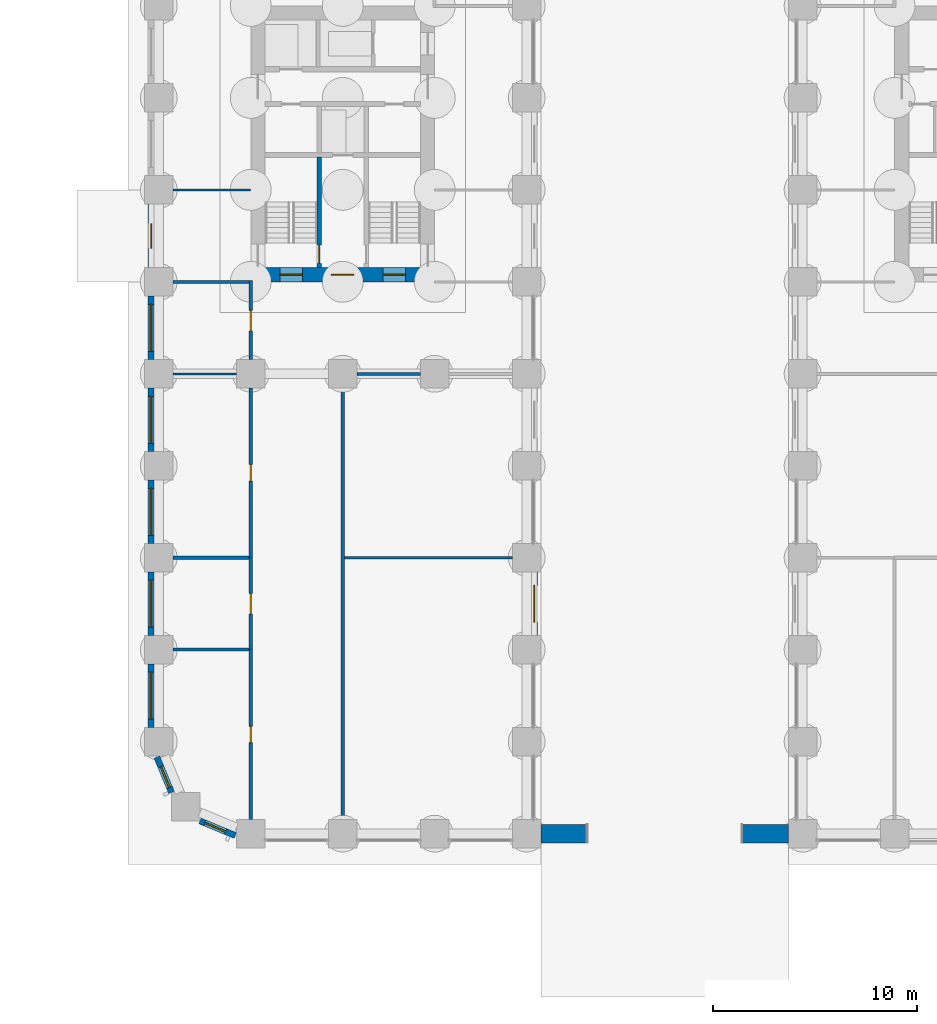
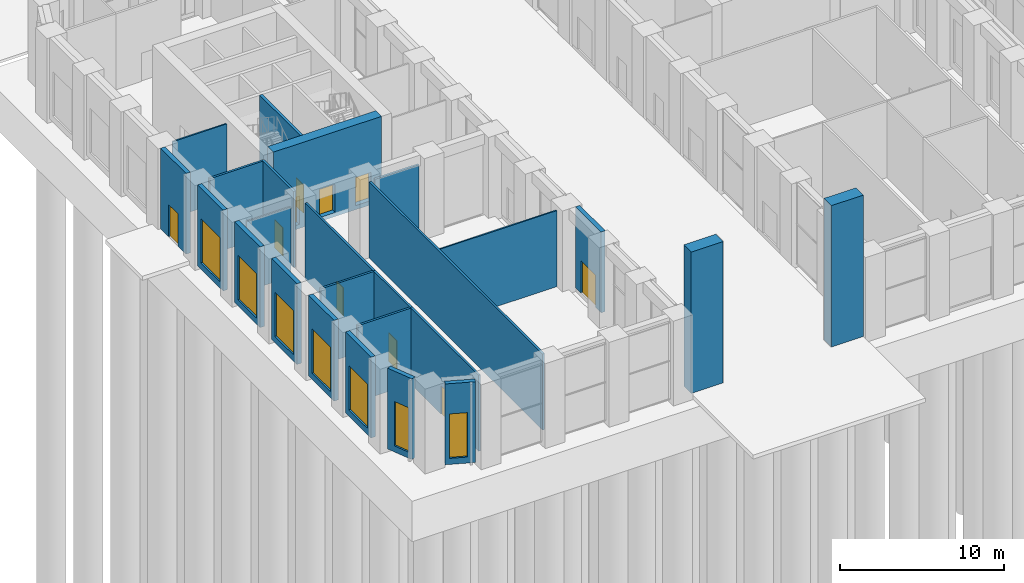
# One storey, part 14 of 31: 25 walls, 10 doors, 7 windows, 17 openings.
"""IFC4 building model written with IfcOpenShell, lengths in metres."""

import ifcopenshell
import ifcopenshell.guid

model = None  # the IFC model being written
_history = None  # IfcOwnerHistory: only IFC2X3 demands one
_inside = {}  # id of a spatial element -> (the spatial element, [elements in it])
_under = {}  # id of a project, library or spatial element -> (it, [spatial elements below it])
_declared = {}  # id of a project -> (the project, [libraries it declares])
_typed = {}  # id of a type object -> (the type object, [elements of that type])
_made_of = {}  # id of a material, layer set ... -> (it, [elements and type objects made of it])


def new_model(schema):
    """Start an empty IFC model of exactly this schema.

    Asked for "IFC4X3", IfcOpenShell would pick the latest addendum, in which some entities
    have other attributes; the version numbers below select the first issue.
    IFC2X3 requires an IfcOwnerHistory on every rooted entity: one is made here for all.
    """
    global model, _history
    if schema == "IFC4X3":
        model = ifcopenshell.file(schema_version=(4, 3, 0, 0))
    else:
        model = ifcopenshell.file(schema=schema)
    _inside.clear()
    _under.clear()
    _declared.clear()
    _typed.clear()
    _made_of.clear()
    _history = None
    if model.schema == "IFC2X3":
        org = make("IfcOrganization", Name="unknown")
        user = make(
            "IfcPersonAndOrganization",
            ThePerson=make("IfcPerson", FamilyName="unknown"),
            TheOrganization=org,
        )
        app = make(
            "IfcApplication",
            ApplicationDeveloper=org,
            Version="unknown",
            ApplicationFullName="unknown",
            ApplicationIdentifier="unknown",
        )
        _history = make(
            "IfcOwnerHistory",
            OwningUser=user,
            OwningApplication=app,
            ChangeAction="ADDED",
            CreationDate=0,
        )
    return model


def make(cls, **values):
    """One entity of the class cls with the attributes given. An attribute that is None is left unset."""
    return model.create_entity(
        cls, **{name: value for name, value in values.items() if value is not None}
    )


def rooted(cls, **values):
    """An entity with a GlobalId (a new one), such as an element, a storey or a relation."""
    return make(cls, GlobalId=ifcopenshell.guid.new(), OwnerHistory=_history, **values)


def si_unit(unit_type, name, prefix=None):
    """IfcSIUnit, for example si_unit("LENGTHUNIT", "METRE", prefix="MILLI")."""
    return make("IfcSIUnit", UnitType=unit_type, Prefix=prefix, Name=name)


def assignment(units):
    """IfcUnitAssignment: the units of a project."""
    return None if units is None else make("IfcUnitAssignment", Units=units)


def point(xyz):
    """IfcCartesianPoint."""
    return None if xyz is None else make("IfcCartesianPoint", Coordinates=xyz)


def direction(xyz):
    """IfcDirection."""
    return None if xyz is None else make("IfcDirection", DirectionRatios=xyz)


def frame(location, z_axis=None, x_axis=None):
    """IfcAxis2Placement3D, a coordinate frame: its origin and axes. An axis left out is left unset."""
    return make(
        "IfcAxis2Placement3D",
        Location=point(location),
        Axis=direction(z_axis),
        RefDirection=direction(x_axis),
    )


def frame_2d(location, x_axis=None):
    """IfcAxis2Placement2D, a coordinate frame in the plane: its origin and x axis."""
    return make(
        "IfcAxis2Placement2D", Location=point(location), RefDirection=direction(x_axis)
    )


def origin():
    """The frame at (0, 0, 0) with its axes left unset."""
    return frame((0.0, 0.0, 0.0))


def place(relative_to, where):
    """IfcLocalPlacement: puts the frame where relative to a parent placement (None: the world)."""
    return make(
        "IfcLocalPlacement", PlacementRelTo=relative_to, RelativePlacement=where
    )


def context(
    kind, dimensions, precision=None, world=None, true_north=None, identifier=None
):
    """IfcGeometricRepresentationContext, for example the 3D "Model" context."""
    return make(
        "IfcGeometricRepresentationContext",
        ContextIdentifier=identifier,
        ContextType=kind,
        CoordinateSpaceDimension=dimensions,
        Precision=precision,
        WorldCoordinateSystem=world,
        TrueNorth=true_north,
    )


def subcontext(parent, identifier, kind, view, scale=None):
    """IfcGeometricRepresentationSubContext, for example "Body" below "Model"."""
    return make(
        "IfcGeometricRepresentationSubContext",
        ContextIdentifier=identifier,
        ContextType=kind,
        ParentContext=parent,
        TargetScale=scale,
        TargetView=view,
    )


def project(units=None, contexts=None):
    """IfcProject with its units and contexts."""
    return rooted(
        "IfcProject",
        Name="project",
        RepresentationContexts=contexts,
        UnitsInContext=assignment(units),
    )


def spatial(cls, under=None, at=None, **own):
    """A site, building, storey or space (cls), placed at a placement, below another one or the project."""
    s = rooted(cls, ObjectPlacement=at, **own)
    if under is not None:
        _under.setdefault(under.id(), (under, []))[1].append(s)
    return s


def profile(cls, at=None, kind="AREA", **sizes):
    """A parametric profile (cls). Its sizes go by their IFC names, for example OverallWidth=200.0."""
    return make(cls, ProfileType=kind, Position=at, **sizes)


def rectangle(**sizes):
    """IfcRectangleProfileDef."""
    return profile("IfcRectangleProfileDef", **sizes)


def extrude(swept, where, along, depth):
    """IfcExtrudedAreaSolid: the profile swept, set in the frame where, extruded along a direction by depth."""
    return make(
        "IfcExtrudedAreaSolid",
        SweptArea=swept,
        Position=where,
        ExtrudedDirection=direction(along),
        Depth=depth,
    )


def shape(context_of_items, identifier, shape_type, items):
    """IfcShapeRepresentation: the items that make up one representation, for example the "Body"."""
    return make(
        "IfcShapeRepresentation",
        ContextOfItems=context_of_items,
        RepresentationIdentifier=identifier,
        RepresentationType=shape_type,
        Items=items,
    )


def material(Name=None, Category=None):
    """IfcMaterial."""
    return make("IfcMaterial", Name=Name, Category=Category)


def layer(
    of_material, thickness, ventilated=None, Name=None, Category=None, Priority=None
):
    """IfcMaterialLayer: one layer of a wall or slab, of a material (None: an air gap)."""
    return make(
        "IfcMaterialLayer",
        Material=of_material,
        LayerThickness=thickness,
        IsVentilated=ventilated,
        Name=Name,
        Category=Category,
        Priority=Priority,
    )


def layer_set(layers, Name=None):
    """IfcMaterialLayerSet."""
    return make("IfcMaterialLayerSet", MaterialLayers=layers, LayerSetName=Name)


def made_of(thing, what):
    """Note that an element or type object is made of a material, layer set ...; save() writes the relation."""
    if what is not None:
        _made_of.setdefault(what.id(), (what, []))[1].append(thing)
    return thing


def type_object(cls, material=None, **own):
    """A type object (cls), such as IfcWallType, which elements share."""
    return made_of(rooted(cls, **own), material)


def element(
    cls,
    number,
    at=None,
    inside=None,
    cuts=None,
    type_object=None,
    material=None,
    context=None,
    identifier="Body",
    shape_type=None,
    held_by="IfcProductDefinitionShape",
    body=None,
    shapes=None,
    **own,
):
    """One element of the class cls, such as IfcWall. Its Tag is "e" and its number.

    at: its placement. inside: the storey or other place that contains it. cuts: it is an
    opening in that element (IfcRelVoidsElement). A single representation is given by context,
    identifier, shape_type and body (its items); several are given by shapes. held_by: the class
    of the entity that holds the representations. save() writes the other relations.
    """
    e = rooted(cls, Tag="e%d" % number, ObjectPlacement=at, **own)
    if body is not None:
        shapes = [shape(context, identifier, shape_type, body)]
    if shapes is not None:
        e.Representation = make(held_by, Representations=shapes)
    if inside is not None:
        _inside.setdefault(inside.id(), (inside, []))[1].append(e)
    if cuts is not None:
        rooted(
            "IfcRelVoidsElement", RelatingBuildingElement=cuts, RelatedOpeningElement=e
        )
    if type_object is not None:
        _typed.setdefault(type_object.id(), (type_object, []))[1].append(e)
    return made_of(e, material)


def fill(opening, filler):
    """IfcRelFillsElement: the door or window that sits in an opening."""
    return rooted(
        "IfcRelFillsElement",
        RelatingOpeningElement=opening,
        RelatedBuildingElement=filler,
    )


def aggregate(whole, parts):
    """IfcRelAggregates: a whole, such as a stair, and the parts it consists of."""
    return rooted("IfcRelAggregates", RelatingObject=whole, RelatedObjects=parts)


def save(model, path):
    """Write the relations noted so far, then the file.

    IfcRelAggregates (storeys below a building ...), IfcRelContainedInSpatialStructure (elements
    in a storey), IfcRelDefinesByType, IfcRelAssociatesMaterial and IfcRelDeclares: one each for
    every whole, place, type object, material and project.
    """
    for whole, parts in _under.values():
        aggregate(whole, parts)
    for where, things in _inside.values():
        rooted(
            "IfcRelContainedInSpatialStructure",
            RelatedElements=things,
            RelatingStructure=where,
        )
    for kind, things in _typed.values():
        rooted("IfcRelDefinesByType", RelatedObjects=things, RelatingType=kind)
    for what, things in _made_of.values():
        rooted("IfcRelAssociatesMaterial", RelatedObjects=things, RelatingMaterial=what)
    for by, libraries in _declared.values():
        rooted("IfcRelDeclares", RelatingContext=by, RelatedDefinitions=libraries)
    model.write(path)


model = new_model("IFC4")

# Units and contexts
model_context = context("Model", 3, precision=1e-05, world=origin(), true_north=direction((0.0, 1.0)))
body_context = subcontext(model_context, "Body", "Model", "MODEL_VIEW")
ifc_project = project(units=[si_unit("LENGTHUNIT", "METRE"), si_unit("AREAUNIT", "SQUARE_METRE"), si_unit("VOLUMEUNIT", "CUBIC_METRE"), si_unit("PLANEANGLEUNIT", "RADIAN"), si_unit("MASSUNIT", "GRAM", prefix="KILO")], contexts=[model_context])

# Site, building, storey
site_placement = place(None, origin())
site = spatial("IfcSite", under=ifc_project, at=site_placement, CompositionType="ELEMENT")
building_placement = place(site_placement, origin())
building = spatial("IfcBuilding", under=site, at=building_placement, Name="Girih Gate Residences", CompositionType="ELEMENT")
storey_placement = place(building_placement, origin())
storey = spatial("IfcBuildingStorey", under=building, at=storey_placement, Name="L00", CompositionType="ELEMENT", Elevation=0.0)

# Wall, opening, door
ifc_material_1 = material(Name="Gypsum board on steel studs", Category="steel")
ifc_layer_1 = layer(ifc_material_1, 0.14990234375)
ifc_layer_set_1 = layer_set([ifc_layer_1], Name="Compartment wall 150 mm")
wall_type_1 = type_object("IfcWallType", Name="Compartment wall 150 mm", PredefinedType="PARTITIONING", material=ifc_layer_set_1)
wall_1_placement = place(storey_placement, frame((4.5, 23.199951171875, 0.0), z_axis=(0.0, 0.0, 1.0), x_axis=(0.0, 1.0, 0.0)))
wall_1 = element("IfcWall", 1, at=wall_1_placement, inside=storey, type_object=wall_type_1, Name="L00 partition", PredefinedType="PARTITIONING", context=body_context, shape_type="SweptSolid", body=[
    extrude(rectangle(XDim=3.875, YDim=0.14990234375, at=frame_2d((1.9375, 0.0))), origin(), (0.0, 0.0, 1.0), 5.64990234375),
])
opening_1_placement = place(wall_1_placement, frame((1.39990234375, 0.0, 0.0)))
opening_1 = element("IfcOpeningElement", 2, at=opening_1_placement, cuts=wall_1, Name="Opening D-L00-S-009", PredefinedType="OPENING", context=body_context, shape_type="SweptSolid", body=[
    extrude(rectangle(XDim=1.0, YDim=2.10009765625, at=frame_2d((0.5, 1.050048828125))), frame((0.0, 0.0849609375, 0.0), z_axis=(0.0, -1.0, 0.0), x_axis=(1.0, 0.0, 0.0)), (0.0, 0.0, 1.0), 0.169921875),
])
ifc_material_2 = material(Name="Timber, fire-rated core", Category="wood")
door_type_1 = type_object("IfcDoorType", Name="Amenity door 1000x2100 FD30S", OperationType="SINGLE_SWING_LEFT", PredefinedType="DOOR", material=ifc_material_2)
door_1_placement = place(opening_1_placement, origin())
door_1 = element("IfcDoor", 3, at=door_1_placement, inside=storey, type_object=door_type_1, Name="Door L00-009", OperationType="SINGLE_SWING_LEFT", OverallHeight=2.10009765625, OverallWidth=1.0, PredefinedType="DOOR", context=body_context, shape_type="SweptSolid", body=[
    extrude(rectangle(XDim=1.0, YDim=2.10009765625, at=frame_2d((0.5, 1.050048828125))), frame((0.0, 0.02490234375, 0.0), z_axis=(0.0, -1.0, 0.0), x_axis=(1.0, 0.0, 0.0)), (0.0, 0.0, 1.0), 0.050048828125),
])
fill(opening_1, door_1)

# Walls
wall_2_placement = place(storey_placement, frame((0.699951171875, 27.0, 0.0), z_axis=(0.0, 0.0, 1.0), x_axis=(1.0, 0.0, 0.0)))
element("IfcWall", 4, at=wall_2_placement, inside=storey, type_object=wall_type_1, Name="L00 partition", PredefinedType="PARTITIONING", context=body_context, shape_type="SweptSolid", body=[
    extrude(rectangle(XDim=3.72509765625, YDim=0.14990234375, at=frame_2d((1.862548828125, 0.0))), origin(), (0.0, 0.0, 1.0), 5.64990234375),
])
wall_3_placement = place(storey_placement, frame((9.699951171875, 22.5, 0.0), z_axis=(0.0, 0.0, 1.0), x_axis=(1.0, 0.0, 0.0)))
element("IfcWall", 5, at=wall_3_placement, inside=storey, type_object=wall_type_1, Name="L00 partition", PredefinedType="PARTITIONING", context=body_context, shape_type="SweptSolid", body=[
    extrude(rectangle(XDim=3.10009765625, YDim=0.14990234375, at=frame_2d((1.550048828125, 0.0))), origin(), (0.0, 0.0, 1.0), 5.179931640625),
])
wall_4_placement = place(storey_placement, frame((9.0, 0.699951171875, 0.0), z_axis=(0.0, 0.0, 1.0), x_axis=(0.0, 1.0, 0.0)))
element("IfcWall", 6, at=wall_4_placement, inside=storey, type_object=wall_type_1, Name="L00 partition", PredefinedType="PARTITIONING", context=body_context, shape_type="SweptSolid", body=[
    extrude(rectangle(XDim=21.10009765625, YDim=0.14990234375, at=frame_2d((10.550048828125, 0.0))), origin(), (0.0, 0.0, 1.0), 5.64990234375),
])

# Wall, opening, door
wall_5_placement = place(storey_placement, frame((4.5, 0.699951171875, 0.0), z_axis=(0.0, 0.0, 1.0), x_axis=(0.0, 1.0, 0.0)))
wall_5 = element("IfcWall", 7, at=wall_5_placement, inside=storey, type_object=wall_type_1, Name="L00 partition", PredefinedType="PARTITIONING", context=body_context, shape_type="SweptSolid", body=[
    extrude(rectangle(XDim=8.300048828125, YDim=0.14990234375, at=frame_2d((4.14990234375, 0.0))), origin(), (0.0, 0.0, 1.0), 5.64990234375),
])
opening_2_placement = place(wall_5_placement, frame((3.75, 0.0, 0.0)))
opening_2 = element("IfcOpeningElement", 8, at=opening_2_placement, cuts=wall_5, Name="Opening D-L00-S-012", PredefinedType="OPENING", context=body_context, shape_type="SweptSolid", body=[
    extrude(rectangle(XDim=0.800048828125, YDim=2.10009765625, at=frame_2d((0.39990234375, 1.050048828125))), frame((0.0, 0.0849609375, 0.0), z_axis=(0.0, -1.0, 0.0), x_axis=(1.0, 0.0, 0.0)), (0.0, 0.0, 1.0), 0.169921875),
])
ifc_material_3 = material(Name="Timber", Category="wood")
door_type_2 = type_object("IfcDoorType", Name="WC and store door 800x2100", OperationType="SINGLE_SWING_LEFT", PredefinedType="DOOR", material=ifc_material_3)
door_2_placement = place(opening_2_placement, origin())
door_2 = element("IfcDoor", 9, at=door_2_placement, inside=storey, type_object=door_type_2, Name="Door L00-012", OperationType="SINGLE_SWING_LEFT", OverallHeight=2.10009765625, OverallWidth=0.800048828125, PredefinedType="DOOR", context=body_context, shape_type="SweptSolid", body=[
    extrude(rectangle(XDim=0.800048828125, YDim=2.10009765625, at=frame_2d((0.39990234375, 1.050048828125))), frame((0.0, 0.02490234375, 0.0), z_axis=(0.0, -1.0, 0.0), x_axis=(1.0, 0.0, 0.0)), (0.0, 0.0, 1.0), 0.050048828125),
])
fill(opening_2, door_2)

wall_6_placement = place(storey_placement, frame((4.5, 9.0, 0.0), z_axis=(0.0, 0.0, 1.0), x_axis=(0.0, 1.0, 0.0)))
wall_6 = element("IfcWall", 10, at=wall_6_placement, inside=storey, type_object=wall_type_1, Name="L00 partition", PredefinedType="PARTITIONING", context=body_context, shape_type="SweptSolid", body=[
    extrude(rectangle(XDim=4.5, YDim=0.14990234375, at=frame_2d((2.25, 0.0))), origin(), (0.0, 0.0, 1.0), 5.64990234375),
])
opening_3_placement = place(wall_6_placement, frame((1.75, 0.0, 0.0)))
opening_3 = element("IfcOpeningElement", 11, at=opening_3_placement, cuts=wall_6, Name="Opening D-L00-S-013", PredefinedType="OPENING", context=body_context, shape_type="SweptSolid", body=[
    extrude(rectangle(XDim=1.0, YDim=2.10009765625, at=frame_2d((0.5, 1.050048828125))), frame((0.0, 0.0849609375, 0.0), z_axis=(0.0, -1.0, 0.0), x_axis=(1.0, 0.0, 0.0)), (0.0, 0.0, 1.0), 0.169921875),
])
ifc_material_4 = material(Name="Painted steel, fire-resisting", Category="steel")
door_type_3 = type_object("IfcDoorType", Name="Plant room door 1000x2100 FD60", OperationType="SINGLE_SWING_LEFT", PredefinedType="DOOR", material=ifc_material_4)
door_3_placement = place(opening_3_placement, origin())
door_3 = element("IfcDoor", 12, at=door_3_placement, inside=storey, type_object=door_type_3, Name="Door L00-013", OperationType="SINGLE_SWING_RIGHT", OverallHeight=2.10009765625, OverallWidth=1.0, PredefinedType="DOOR", context=body_context, shape_type="SweptSolid", body=[
    extrude(rectangle(XDim=1.0, YDim=2.10009765625, at=frame_2d((0.5, 1.050048828125))), frame((0.0, 0.02490234375, 0.0), z_axis=(0.0, -1.0, 0.0), x_axis=(1.0, 0.0, 0.0)), (0.0, 0.0, 1.0), 0.050048828125),
])
fill(opening_3, door_3)

wall_7_placement = place(storey_placement, frame((4.5, 13.5, 0.0), z_axis=(0.0, 0.0, 1.0), x_axis=(0.0, 1.0, 0.0)))
wall_7 = element("IfcWall", 13, at=wall_7_placement, inside=storey, type_object=wall_type_1, Name="L00 partition", PredefinedType="PARTITIONING", context=body_context, shape_type="SweptSolid", body=[
    extrude(rectangle(XDim=8.300048828125, YDim=0.14990234375, at=frame_2d((4.14990234375, 0.0))), origin(), (0.0, 0.0, 1.0), 5.64990234375),
])
opening_4_placement = place(wall_7_placement, frame((3.75, 0.0, 0.0)))
opening_4 = element("IfcOpeningElement", 14, at=opening_4_placement, cuts=wall_7, Name="Opening D-L00-S-014", PredefinedType="OPENING", context=body_context, shape_type="SweptSolid", body=[
    extrude(rectangle(XDim=0.800048828125, YDim=2.10009765625, at=frame_2d((0.39990234375, 1.050048828125))), frame((0.0, 0.0849609375, 0.0), z_axis=(0.0, -1.0, 0.0), x_axis=(1.0, 0.0, 0.0)), (0.0, 0.0, 1.0), 0.169921875),
])
door_4_placement = place(opening_4_placement, origin())
door_4 = element("IfcDoor", 15, at=door_4_placement, inside=storey, type_object=door_type_2, Name="Door L00-014", OperationType="SINGLE_SWING_LEFT", OverallHeight=2.10009765625, OverallWidth=0.800048828125, PredefinedType="DOOR", context=body_context, shape_type="SweptSolid", body=[
    extrude(rectangle(XDim=0.800048828125, YDim=2.10009765625, at=frame_2d((0.39990234375, 1.050048828125))), frame((0.0, 0.02490234375, 0.0), z_axis=(0.0, -1.0, 0.0), x_axis=(1.0, 0.0, 0.0)), (0.0, 0.0, 1.0), 0.050048828125),
])
fill(opening_4, door_4)

# Walls
for number, where, z_axis, x_axis, name in (
    (16, (0.699951171875, 9.0, 0.0), (0.0, 0.0, 1.0), (1.0, 0.0, 0.0), "L00 partition"),
    (17, (0.699951171875, 13.5, 0.0), (0.0, 0.0, 1.0), (1.0, 0.0, 0.0), "L00 partition"),
):
    element("IfcWall", number, at=place(storey_placement, frame(where, z_axis=z_axis, x_axis=x_axis)), inside=storey, type_object=wall_type_1, Name=name, PredefinedType="PARTITIONING", context=body_context, shape_type="SweptSolid", body=[
        extrude(rectangle(XDim=3.72509765625, YDim=0.14990234375, at=frame_2d((1.862548828125, 0.0))), origin(), (0.0, 0.0, 1.0), 5.64990234375),
    ])

# Wall, openings, doors
ifc_material_5 = material(Name="Concrete C60/75", Category="concrete")
ifc_layer_2 = layer(ifc_material_5, 0.699951171875)
ifc_layer_set_2 = layer_set([ifc_layer_2], Name="Core wall RC 700 Concrete C60/75")
wall_type_2 = type_object("IfcWallType", Name="Core wall RC 700 Concrete C60/75", PredefinedType="SOLIDWALL", material=ifc_layer_set_2)
wall_8_placement = place(storey_placement, frame((5.199951171875, 27.35009765625, -0.300048828125), z_axis=(0.0, 0.0, 1.0), x_axis=(1.0, 0.0, 0.0)))
wall_8 = element("IfcWall", 18, at=wall_8_placement, inside=storey, type_object=wall_type_2, Name="Core wall W-S L00", PredefinedType="SOLIDWALL", context=body_context, shape_type="SweptSolid", body=[
    extrude(rectangle(XDim=7.60009765625, YDim=0.699951171875, at=frame_2d((3.800048828125, 0.0))), origin(), (0.0, 0.0, 1.0), 6.300048828125),
])
opening_5_placement = place(wall_8_placement, frame((0.72509765625, 0.0, 0.300048828125)))
opening_5 = element("IfcOpeningElement", 19, at=opening_5_placement, cuts=wall_8, Name="Opening D-L00-W-008", PredefinedType="OPENING", context=body_context, shape_type="SweptSolid", body=[
    extrude(rectangle(XDim=1.10009765625, YDim=2.10009765625, at=frame_2d((0.550048828125, 1.050048828125))), frame((0.0, 0.35986328125, 0.0), z_axis=(0.0, -1.0, 0.0), x_axis=(1.0, 0.0, 0.0)), (0.0, 0.0, 1.0), 0.719970703125),
])
opening_6_placement = place(wall_8_placement, frame((3.25, 0.0, 0.300048828125)))
opening_6 = element("IfcOpeningElement", 20, at=opening_6_placement, cuts=wall_8, Name="Opening D-L00-W-009", PredefinedType="OPENING", context=body_context, shape_type="SweptSolid", body=[
    extrude(rectangle(XDim=1.10009765625, YDim=2.10009765625, at=frame_2d((0.550048828125, 1.050048828125))), frame((0.0, 0.35986328125, 0.0), z_axis=(0.0, -1.0, 0.0), x_axis=(1.0, 0.0, 0.0)), (0.0, 0.0, 1.0), 0.719970703125),
])
opening_7_placement = place(wall_8_placement, frame((5.77490234375, 0.0, 0.300048828125)))
opening_7 = element("IfcOpeningElement", 21, at=opening_7_placement, cuts=wall_8, Name="Opening D-L00-W-010", PredefinedType="OPENING", context=body_context, shape_type="SweptSolid", body=[
    extrude(rectangle(XDim=1.10009765625, YDim=2.10009765625, at=frame_2d((0.550048828125, 1.050048828125))), frame((0.0, 0.35986328125, 0.0), z_axis=(0.0, -1.0, 0.0), x_axis=(1.0, 0.0, 0.0)), (0.0, 0.0, 1.0), 0.719970703125),
])
door_type_4 = type_object("IfcDoorType", Name="Fire door 1100x2100 raised threshold", OperationType="SINGLE_SWING_LEFT", PredefinedType="DOOR", material=ifc_material_4)
door_5_placement = place(opening_5_placement, origin())
door_5 = element("IfcDoor", 22, at=door_5_placement, inside=storey, type_object=door_type_4, Name="L00 W core door sta-out", OperationType="SINGLE_SWING_LEFT", OverallHeight=2.10009765625, OverallWidth=1.10009765625, PredefinedType="DOOR", context=body_context, shape_type="SweptSolid", body=[
    extrude(rectangle(XDim=1.10009765625, YDim=2.10009765625, at=frame_2d((0.550048828125, 1.050048828125))), frame((0.0, 0.02490234375, 0.0), z_axis=(0.0, -1.0, 0.0), x_axis=(1.0, 0.0, 0.0)), (0.0, 0.0, 1.0), 0.050048828125),
])
fill(opening_5, door_5)
door_6_placement = place(opening_6_placement, origin())
door_6 = element("IfcDoor", 23, at=door_6_placement, inside=storey, type_object=door_type_4, Name="L00 W core door ffl-out", OperationType="SINGLE_SWING_LEFT", OverallHeight=2.10009765625, OverallWidth=1.10009765625, PredefinedType="DOOR", context=body_context, shape_type="SweptSolid", body=[
    extrude(rectangle(XDim=1.10009765625, YDim=2.10009765625, at=frame_2d((0.550048828125, 1.050048828125))), frame((0.0, 0.02490234375, 0.0), z_axis=(0.0, -1.0, 0.0), x_axis=(1.0, 0.0, 0.0)), (0.0, 0.0, 1.0), 0.050048828125),
])
fill(opening_6, door_6)
door_7_placement = place(opening_7_placement, origin())
door_7 = element("IfcDoor", 24, at=door_7_placement, inside=storey, type_object=door_type_4, Name="L00 W core door stb-out", OperationType="SINGLE_SWING_LEFT", OverallHeight=2.10009765625, OverallWidth=1.10009765625, PredefinedType="DOOR", context=body_context, shape_type="SweptSolid", body=[
    extrude(rectangle(XDim=1.10009765625, YDim=2.10009765625, at=frame_2d((0.550048828125, 1.050048828125))), frame((0.0, 0.02490234375, 0.0), z_axis=(0.0, -1.0, 0.0), x_axis=(1.0, 0.0, 0.0)), (0.0, 0.0, 1.0), 0.050048828125),
])
fill(opening_7, door_7)

# Walls
ifc_layer_3 = layer(ifc_material_1, 0.10009765625)
ifc_layer_set_3 = layer_set([ifc_layer_3], Name="Partition 100 mm")
wall_type_3 = type_object("IfcWallType", Name="Partition 100 mm", PredefinedType="PARTITIONING", material=ifc_layer_set_3)
wall_9_placement = place(storey_placement, frame((0.699951171875, 22.5, 0.0), z_axis=(0.0, 0.0, 1.0), x_axis=(1.0, 0.0, 0.0)))
element("IfcWall", 25, at=wall_9_placement, inside=storey, type_object=wall_type_3, Name="L00 partition", PredefinedType="PARTITIONING", context=body_context, shape_type="SweptSolid", body=[
    extrude(rectangle(XDim=3.10009765625, YDim=0.10009765625, at=frame_2d((1.550048828125, 0.0))), origin(), (0.0, 0.0, 1.0), 5.179931640625),
])
wall_10_placement = place(storey_placement, frame((0.699951171875, 31.5, 0.0), z_axis=(0.0, 0.0, 1.0), x_axis=(1.0, 0.0, 0.0)))
element("IfcWall", 26, at=wall_10_placement, inside=storey, type_object=wall_type_3, Name="L00 partition", PredefinedType="PARTITIONING", context=body_context, shape_type="SweptSolid", body=[
    extrude(rectangle(XDim=3.800048828125, YDim=0.10009765625, at=frame_2d((1.89990234375, 0.0))), origin(), (0.0, 0.0, 1.0), 5.64990234375),
])
wall_11_placement = place(storey_placement, frame((9.074951171875, 13.5, 0.0), z_axis=(0.0, 0.0, 1.0), x_axis=(1.0, 0.0, 0.0)))
element("IfcWall", 27, at=wall_11_placement, inside=storey, type_object=wall_type_3, Name="L00 partition", PredefinedType="PARTITIONING", context=body_context, shape_type="SweptSolid", body=[
    extrude(rectangle(XDim=8.22509765625, YDim=0.10009765625, at=frame_2d((4.112548828125, 0.0))), origin(), (0.0, 0.0, 1.0), 5.64990234375),
])
ifc_material_6 = material(Name="Precast concrete C60/75", Category="concrete")
ifc_layer_4 = layer(ifc_material_6, 0.89990234375)
ifc_layer_set_4 = layer_set([ifc_layer_4], Name="Pishtaq jamb 2250x900")
wall_type_4 = type_object("IfcWallType", Name="Pishtaq jamb 2250x900", PredefinedType="SOLIDWALL", material=ifc_layer_set_4)
for number, where, z_axis, x_axis, name in (
    (28, (18.699951171875, 0.0, 0.0), (0.0, 0.0, 1.0), (1.0, 0.0, 0.0), "Pishtaq jamb S1"),
    (29, (28.550048828125, 0.0, 0.0), (0.0, 0.0, 1.0), (1.0, 0.0, 0.0), "Pishtaq jamb S2"),
):
    element("IfcWall", number, at=place(storey_placement, frame(where, z_axis=z_axis, x_axis=x_axis)), inside=storey, type_object=wall_type_4, Name=name, PredefinedType="SOLIDWALL", context=body_context, shape_type="SweptSolid", body=[
        extrude(rectangle(XDim=2.25, YDim=0.89990234375, at=frame_2d((1.125, 0.0))), origin(), (0.0, 0.0, 1.0), 10.5),
    ])

# Wall, opening, door
ifc_material_7 = material(Name="Precast concrete C50/60", Category="concrete")
ifc_layer_5 = layer(ifc_material_7, 0.080078125, Name="Outer leaf")
ifc_material_8 = material(Name="Rigid PIR insulation")
ifc_layer_6 = layer(ifc_material_8, 0.14990234375, Name="Insulation")
ifc_material_9 = material(Name="Precast concrete C40/50", Category="concrete")
ifc_layer_7 = layer(ifc_material_9, 0.070068359375, Name="Inner leaf")
ifc_layer_set_5 = layer_set([ifc_layer_5, ifc_layer_6, ifc_layer_7], Name="Precast concrete C50/60 external wall 300")
wall_type_5 = type_object("IfcWallType", Name="Precast concrete C50/60 external wall 300", PredefinedType="SOLIDWALL", material=ifc_layer_set_5)
wall_12_placement = place(storey_placement, frame((-0.375, 27.699951171875, 0.0), z_axis=(0.0, 0.0, 1.0), x_axis=(0.0, 1.0, 0.0)))
wall_12 = element("IfcWall", 30, at=wall_12_placement, inside=storey, type_object=wall_type_5, Name="External wall W0000_0450.3", PredefinedType="SOLIDWALL", context=body_context, shape_type="SweptSolid", body=[
    extrude(rectangle(XDim=3.10009765625, YDim=0.300048828125, at=frame_2d((1.550048828125, 0.0))), origin(), (0.0, 0.0, 1.0), 6.0),
])
opening_8_placement = place(wall_12_placement, frame((0.949951171875, 0.0, 0.0)))
opening_8 = element("IfcOpeningElement", 31, at=opening_8_placement, cuts=wall_12, Name="Opening XD-1", PredefinedType="OPENING", context=body_context, shape_type="SweptSolid", body=[
    extrude(rectangle(XDim=1.199951171875, YDim=2.39990234375, at=frame_2d((0.60009765625, 1.199951171875))), frame((0.0, 0.159912109375, 0.0), z_axis=(0.0, -1.0, 0.0), x_axis=(1.0, 0.0, 0.0)), (0.0, 0.0, 1.0), 0.320068359375),
])
ifc_material_10 = material(Name="Steel fire door", Category="steel")
door_type_5 = type_object("IfcDoorType", Name="Stair exit door 1200x2400", OperationType="NOTDEFINED", PredefinedType="DOOR", material=ifc_material_10)
door_8_placement = place(opening_8_placement, origin())
door_8 = element("IfcDoor", 32, at=door_8_placement, inside=storey, type_object=door_type_5, Name="Stair exit door W0000_0450.3", OperationType="SINGLE_SWING_LEFT", OverallHeight=2.39990234375, OverallWidth=1.199951171875, PredefinedType="DOOR", context=body_context, shape_type="SweptSolid", body=[
    extrude(rectangle(XDim=1.199951171875, YDim=2.39990234375, at=frame_2d((0.60009765625, 1.199951171875))), frame((0.0, 0.02490234375, 0.0), z_axis=(0.0, -1.0, 0.0), x_axis=(1.0, 0.0, 0.0)), (0.0, 0.0, 1.0), 0.050048828125),
])
fill(opening_8, door_8)

# Wall, opening, window
wall_13_placement = place(storey_placement, frame((-0.375, 23.199951171875, 0.0), z_axis=(0.0, 0.0, 1.0), x_axis=(0.0, 1.0, 0.0)))
wall_13 = element("IfcWall", 33, at=wall_13_placement, inside=storey, type_object=wall_type_5, Name="External wall W0000_0450.4", PredefinedType="SOLIDWALL", context=body_context, shape_type="SweptSolid", body=[
    extrude(rectangle(XDim=3.10009765625, YDim=0.300048828125, at=frame_2d((1.550048828125, 0.0))), origin(), (0.0, 0.0, 1.0), 6.0),
])
opening_9_placement = place(wall_13_placement, frame((0.39990234375, 0.0, 0.449951171875)))
opening_9 = element("IfcOpeningElement", 34, at=opening_9_placement, cuts=wall_13, Name="Opening W-3", PredefinedType="OPENING", context=body_context, shape_type="SweptSolid", body=[
    extrude(rectangle(XDim=2.300048828125, YDim=3.300048828125, at=frame_2d((1.14990234375, 1.64990234375))), frame((0.0, 0.159912109375, 0.0), z_axis=(0.0, -1.0, 0.0), x_axis=(1.0, 0.0, 0.0)), (0.0, 0.0, 1.0), 0.320068359375),
])
ifc_material_11 = material(Name="Double glazing in aluminium frame", Category="aluminium")
window_type_1 = type_object("IfcWindowType", Name="Window W-3 2300x3300", PartitioningType="SINGLE_PANEL", PredefinedType="WINDOW", material=ifc_material_11)
window_1_placement = place(opening_9_placement, origin())
window_1 = element("IfcWindow", 35, at=window_1_placement, inside=storey, type_object=window_type_1, Name="Window W-3 W0000_0450.4", OverallHeight=3.300048828125, OverallWidth=2.300048828125, PartitioningType="SINGLE_PANEL", PredefinedType="WINDOW", context=body_context, shape_type="SweptSolid", body=[
    extrude(rectangle(XDim=2.300048828125, YDim=3.300048828125, at=frame_2d((1.14990234375, 1.64990234375))), frame((0.0, 0.030029296875, 0.0), z_axis=(0.0, -1.0, 0.0), x_axis=(1.0, 0.0, 0.0)), (0.0, 0.0, 1.0), 0.06005859375),
])
fill(opening_9, window_1)

wall_14_placement = place(storey_placement, frame((-0.375, 18.699951171875, 0.0), z_axis=(0.0, 0.0, 1.0), x_axis=(0.0, 1.0, 0.0)))
wall_14 = element("IfcWall", 36, at=wall_14_placement, inside=storey, type_object=wall_type_5, Name="External wall W0000_0450.5", PredefinedType="SOLIDWALL", context=body_context, shape_type="SweptSolid", body=[
    extrude(rectangle(XDim=3.10009765625, YDim=0.300048828125, at=frame_2d((1.550048828125, 0.0))), origin(), (0.0, 0.0, 1.0), 6.0),
])
opening_10_placement = place(wall_14_placement, frame((0.39990234375, 0.0, 0.449951171875)))
opening_10 = element("IfcOpeningElement", 37, at=opening_10_placement, cuts=wall_14, Name="Opening W-3", PredefinedType="OPENING", context=body_context, shape_type="SweptSolid", body=[
    extrude(rectangle(XDim=2.300048828125, YDim=3.300048828125, at=frame_2d((1.14990234375, 1.64990234375))), frame((0.0, 0.159912109375, 0.0), z_axis=(0.0, -1.0, 0.0), x_axis=(1.0, 0.0, 0.0)), (0.0, 0.0, 1.0), 0.320068359375),
])
window_2_placement = place(opening_10_placement, origin())
window_2 = element("IfcWindow", 38, at=window_2_placement, inside=storey, type_object=window_type_1, Name="Window W-3 W0000_0450.5", OverallHeight=3.300048828125, OverallWidth=2.300048828125, PartitioningType="SINGLE_PANEL", PredefinedType="WINDOW", context=body_context, shape_type="SweptSolid", body=[
    extrude(rectangle(XDim=2.300048828125, YDim=3.300048828125, at=frame_2d((1.14990234375, 1.64990234375))), frame((0.0, 0.030029296875, 0.0), z_axis=(0.0, -1.0, 0.0), x_axis=(1.0, 0.0, 0.0)), (0.0, 0.0, 1.0), 0.06005859375),
])
fill(opening_10, window_2)

wall_15_placement = place(storey_placement, frame((-0.375, 14.199951171875, 0.0), z_axis=(0.0, 0.0, 1.0), x_axis=(0.0, 1.0, 0.0)))
wall_15 = element("IfcWall", 39, at=wall_15_placement, inside=storey, type_object=wall_type_5, Name="External wall W0000_0450.6", PredefinedType="SOLIDWALL", context=body_context, shape_type="SweptSolid", body=[
    extrude(rectangle(XDim=3.10009765625, YDim=0.300048828125, at=frame_2d((1.550048828125, 0.0))), origin(), (0.0, 0.0, 1.0), 6.0),
])
opening_11_placement = place(wall_15_placement, frame((0.39990234375, 0.0, 0.449951171875)))
opening_11 = element("IfcOpeningElement", 40, at=opening_11_placement, cuts=wall_15, Name="Opening W-3", PredefinedType="OPENING", context=body_context, shape_type="SweptSolid", body=[
    extrude(rectangle(XDim=2.300048828125, YDim=3.300048828125, at=frame_2d((1.14990234375, 1.64990234375))), frame((0.0, 0.159912109375, 0.0), z_axis=(0.0, -1.0, 0.0), x_axis=(1.0, 0.0, 0.0)), (0.0, 0.0, 1.0), 0.320068359375),
])
window_3_placement = place(opening_11_placement, origin())
window_3 = element("IfcWindow", 41, at=window_3_placement, inside=storey, type_object=window_type_1, Name="Window W-3 W0000_0450.6", OverallHeight=3.300048828125, OverallWidth=2.300048828125, PartitioningType="SINGLE_PANEL", PredefinedType="WINDOW", context=body_context, shape_type="SweptSolid", body=[
    extrude(rectangle(XDim=2.300048828125, YDim=3.300048828125, at=frame_2d((1.14990234375, 1.64990234375))), frame((0.0, 0.030029296875, 0.0), z_axis=(0.0, -1.0, 0.0), x_axis=(1.0, 0.0, 0.0)), (0.0, 0.0, 1.0), 0.06005859375),
])
fill(opening_11, window_3)

wall_16_placement = place(storey_placement, frame((-0.375, 9.699951171875, 0.0), z_axis=(0.0, 0.0, 1.0), x_axis=(0.0, 1.0, 0.0)))
wall_16 = element("IfcWall", 42, at=wall_16_placement, inside=storey, type_object=wall_type_5, Name="External wall W0000_0450.7", PredefinedType="SOLIDWALL", context=body_context, shape_type="SweptSolid", body=[
    extrude(rectangle(XDim=3.10009765625, YDim=0.300048828125, at=frame_2d((1.550048828125, 0.0))), origin(), (0.0, 0.0, 1.0), 6.0),
])
opening_12_placement = place(wall_16_placement, frame((0.39990234375, 0.0, 0.449951171875)))
opening_12 = element("IfcOpeningElement", 43, at=opening_12_placement, cuts=wall_16, Name="Opening W-3", PredefinedType="OPENING", context=body_context, shape_type="SweptSolid", body=[
    extrude(rectangle(XDim=2.300048828125, YDim=3.300048828125, at=frame_2d((1.14990234375, 1.64990234375))), frame((0.0, 0.159912109375, 0.0), z_axis=(0.0, -1.0, 0.0), x_axis=(1.0, 0.0, 0.0)), (0.0, 0.0, 1.0), 0.320068359375),
])
window_4_placement = place(opening_12_placement, origin())
window_4 = element("IfcWindow", 44, at=window_4_placement, inside=storey, type_object=window_type_1, Name="Window W-3 W0000_0450.7", OverallHeight=3.300048828125, OverallWidth=2.300048828125, PartitioningType="SINGLE_PANEL", PredefinedType="WINDOW", context=body_context, shape_type="SweptSolid", body=[
    extrude(rectangle(XDim=2.300048828125, YDim=3.300048828125, at=frame_2d((1.14990234375, 1.64990234375))), frame((0.0, 0.030029296875, 0.0), z_axis=(0.0, -1.0, 0.0), x_axis=(1.0, 0.0, 0.0)), (0.0, 0.0, 1.0), 0.06005859375),
])
fill(opening_12, window_4)

wall_17_placement = place(storey_placement, frame((-0.375, 5.199951171875, 0.0), z_axis=(0.0, 0.0, 1.0), x_axis=(0.0, 1.0, 0.0)))
wall_17 = element("IfcWall", 45, at=wall_17_placement, inside=storey, type_object=wall_type_5, Name="External wall W0000_0450.8", PredefinedType="SOLIDWALL", context=body_context, shape_type="SweptSolid", body=[
    extrude(rectangle(XDim=3.10009765625, YDim=0.300048828125, at=frame_2d((1.550048828125, 0.0))), origin(), (0.0, 0.0, 1.0), 6.0),
])
opening_13_placement = place(wall_17_placement, frame((0.39990234375, 0.0, 0.449951171875)))
opening_13 = element("IfcOpeningElement", 46, at=opening_13_placement, cuts=wall_17, Name="Opening W-3", PredefinedType="OPENING", context=body_context, shape_type="SweptSolid", body=[
    extrude(rectangle(XDim=2.300048828125, YDim=3.300048828125, at=frame_2d((1.14990234375, 1.64990234375))), frame((0.0, 0.159912109375, 0.0), z_axis=(0.0, -1.0, 0.0), x_axis=(1.0, 0.0, 0.0)), (0.0, 0.0, 1.0), 0.320068359375),
])
window_5_placement = place(opening_13_placement, origin())
window_5 = element("IfcWindow", 47, at=window_5_placement, inside=storey, type_object=window_type_1, Name="Window W-3 W0000_0450.8", OverallHeight=3.300048828125, OverallWidth=2.300048828125, PartitioningType="SINGLE_PANEL", PredefinedType="WINDOW", context=body_context, shape_type="SweptSolid", body=[
    extrude(rectangle(XDim=2.300048828125, YDim=3.300048828125, at=frame_2d((1.14990234375, 1.64990234375))), frame((0.0, 0.030029296875, 0.0), z_axis=(0.0, -1.0, 0.0), x_axis=(1.0, 0.0, 0.0)), (0.0, 0.0, 1.0), 0.06005859375),
])
fill(opening_13, window_5)

wall_18_placement = place(storey_placement, frame((0.62158203125, 2.01953125, 0.0), z_axis=(0.0, 0.0, 1.0), x_axis=(-0.38262540684, 0.923903565336, 0.0)))
wall_18 = element("IfcWall", 48, at=wall_18_placement, inside=storey, type_object=wall_type_5, Name="External wall SW0000_0045.0", PredefinedType="SOLIDWALL", context=body_context, shape_type="SweptSolid", body=[
    extrude(rectangle(XDim=1.864990234375, YDim=0.300048828125, at=frame_2d((0.9326171875, 0.0))), origin(), (0.0, 0.0, 1.0), 6.0),
])
opening_14_placement = place(wall_18_placement, frame((0.257568359375, 0.0, 0.449951171875)))
opening_14 = element("IfcOpeningElement", 49, at=opening_14_placement, cuts=wall_18, Name="Opening W-2A", PredefinedType="OPENING", context=body_context, shape_type="SweptSolid", body=[
    extrude(rectangle(XDim=1.10009765625, YDim=3.300048828125, at=frame_2d((0.550048828125, 1.64990234375))), frame((0.0, 0.159912109375, 0.0), z_axis=(0.0, -1.0, 0.0), x_axis=(1.0, 0.0, 0.0)), (0.0, 0.0, 1.0), 0.320068359375),
])
window_type_2 = type_object("IfcWindowType", Name="Window W-2A 1100x3300", PartitioningType="SINGLE_PANEL", PredefinedType="WINDOW", material=ifc_material_11)
window_6_placement = place(opening_14_placement, origin())
window_6 = element("IfcWindow", 50, at=window_6_placement, inside=storey, type_object=window_type_2, Name="Window W-2A SW0000_0045.0", OverallHeight=3.300048828125, OverallWidth=1.10009765625, PartitioningType="SINGLE_PANEL", PredefinedType="WINDOW", context=body_context, shape_type="SweptSolid", body=[
    extrude(rectangle(XDim=1.10009765625, YDim=3.300048828125, at=frame_2d((0.550048828125, 1.64990234375))), frame((0.0, 0.030029296875, 0.0), z_axis=(0.0, -1.0, 0.0), x_axis=(1.0, 0.0, 0.0)), (0.0, 0.0, 1.0), 0.06005859375),
])
fill(opening_14, window_6)

wall_19_placement = place(storey_placement, frame((3.74267578125, -0.09228515625, 0.0), z_axis=(0.0, 0.0, 1.0), x_axis=(-0.923857286003, 0.382737135771, 0.0)))
wall_19 = element("IfcWall", 51, at=wall_19_placement, inside=storey, type_object=wall_type_5, Name="External wall SW0013_0013.0", PredefinedType="SOLIDWALL", context=body_context, shape_type="SweptSolid", body=[
    extrude(rectangle(XDim=1.865234375, YDim=0.300048828125, at=frame_2d((0.9326171875, 0.0))), origin(), (0.0, 0.0, 1.0), 6.0),
])
opening_15_placement = place(wall_19_placement, frame((0.507568359375, 0.0, 0.449951171875)))
opening_15 = element("IfcOpeningElement", 52, at=opening_15_placement, cuts=wall_19, Name="Opening W-2A", PredefinedType="OPENING", context=body_context, shape_type="SweptSolid", body=[
    extrude(rectangle(XDim=1.10009765625, YDim=3.300048828125, at=frame_2d((0.550048828125, 1.64990234375))), frame((0.0, 0.159912109375, 0.0), z_axis=(0.0, -1.0, 0.0), x_axis=(1.0, 0.0, 0.0)), (0.0, 0.0, 1.0), 0.320068359375),
])
window_7_placement = place(opening_15_placement, origin())
window_7 = element("IfcWindow", 53, at=window_7_placement, inside=storey, type_object=window_type_2, Name="Window W-2A SW0013_0013.0", OverallHeight=3.300048828125, OverallWidth=1.10009765625, PartitioningType="SINGLE_PANEL", PredefinedType="WINDOW", context=body_context, shape_type="SweptSolid", body=[
    extrude(rectangle(XDim=1.10009765625, YDim=3.300048828125, at=frame_2d((0.550048828125, 1.64990234375))), frame((0.0, 0.030029296875, 0.0), z_axis=(0.0, -1.0, 0.0), x_axis=(1.0, 0.0, 0.0)), (0.0, 0.0, 1.0), 0.06005859375),
])
fill(opening_15, window_7)

# Wall, opening, door
wall_20_placement = place(storey_placement, frame((18.375, 12.800048828125, 0.0), z_axis=(0.0, 0.0, 1.0), x_axis=(0.0, -1.0, 0.0)))
wall_20 = element("IfcWall", 54, at=wall_20_placement, inside=storey, type_object=wall_type_5, Name="External wall E0180_0000.2", PredefinedType="SOLIDWALL", context=body_context, shape_type="SweptSolid", body=[
    extrude(rectangle(XDim=3.10009765625, YDim=0.300048828125, at=frame_2d((1.550048828125, 0.0))), origin(), (0.0, 0.0, 1.0), 6.0),
])
opening_16_placement = place(wall_20_placement, frame((0.64990234375, 0.0, 0.0)))
opening_16 = element("IfcOpeningElement", 55, at=opening_16_placement, cuts=wall_20, Name="Opening ED-1", PredefinedType="OPENING", context=body_context, shape_type="SweptSolid", body=[
    extrude(rectangle(XDim=1.800048828125, YDim=2.39990234375, at=frame_2d((0.89990234375, 1.199951171875))), frame((0.0, 0.159912109375, 0.0), z_axis=(0.0, -1.0, 0.0), x_axis=(1.0, 0.0, 0.0)), (0.0, 0.0, 1.0), 0.320068359375),
])
ifc_material_12 = material(Name="Aluminium and glass entrance door", Category="aluminium")
door_type_6 = type_object("IfcDoorType", Name="Entrance door pair 1800x2400", OperationType="DOUBLE_DOOR_SINGLE_SWING", PredefinedType="DOOR", material=ifc_material_12)
door_9_placement = place(opening_16_placement, origin())
door_9 = element("IfcDoor", 56, at=door_9_placement, inside=storey, type_object=door_type_6, Name="Shop entrance E0180_0000.2", OperationType="SINGLE_SWING_LEFT", OverallHeight=2.39990234375, OverallWidth=1.800048828125, PredefinedType="DOOR", context=body_context, shape_type="SweptSolid", body=[
    extrude(rectangle(XDim=1.800048828125, YDim=2.39990234375, at=frame_2d((0.89990234375, 1.199951171875))), frame((0.0, 0.02490234375, 0.0), z_axis=(0.0, -1.0, 0.0), x_axis=(1.0, 0.0, 0.0)), (0.0, 0.0, 1.0), 0.050048828125),
])
fill(opening_16, door_9)

ifc_material_13 = material(Name="Concrete C40/50", Category="concrete")
ifc_layer_8 = layer(ifc_material_13, 0.199951171875)
ifc_layer_set_6 = layer_set([ifc_layer_8], Name="Shaft wall 200")
wall_type_6 = type_object("IfcWallType", Name="Shaft wall 200", PredefinedType="SOLIDWALL", material=ifc_layer_set_6)
wall_21_placement = place(storey_placement, frame((7.85009765625, 27.699951171875, 0.0), z_axis=(0.0, 0.0, 1.0), x_axis=(0.0, 1.0, 0.0)))
wall_21 = element("IfcWall", 57, at=wall_21_placement, inside=storey, type_object=wall_type_6, Name="L00 W core wall V1a", PredefinedType="SOLIDWALL", context=body_context, shape_type="SweptSolid", body=[
    extrude(rectangle(XDim=5.400146484375, YDim=0.199951171875, at=frame_2d((2.7001953125, 0.0))), origin(), (0.0, 0.0, 1.0), 5.64990234375),
])
opening_17_placement = place(wall_21_placement, frame((0.199951171875, 0.0, 0.0)))
opening_17 = element("IfcOpeningElement", 58, at=opening_17_placement, cuts=wall_21, Name="Opening D-L00-W-001", PredefinedType="OPENING", context=body_context, shape_type="SweptSolid", body=[
    extrude(rectangle(XDim=0.89990234375, YDim=2.10009765625, at=frame_2d((0.449951171875, 1.050048828125))), frame((0.0, 0.10986328125, 0.0), z_axis=(0.0, -1.0, 0.0), x_axis=(1.0, 0.0, 0.0)), (0.0, 0.0, 1.0), 0.219970703125),
])
door_type_7 = type_object("IfcDoorType", Name="Fire door 900x2100", OperationType="SINGLE_SWING_LEFT", PredefinedType="DOOR", material=ifc_material_4)
door_10_placement = place(opening_17_placement, origin())
door_10 = element("IfcDoor", 59, at=door_10_placement, inside=storey, type_object=door_type_7, Name="L00 W door stair 1 to firefighting lobby", OperationType="SINGLE_SWING_LEFT", OverallHeight=2.10009765625, OverallWidth=0.89990234375, PredefinedType="DOOR", context=body_context, shape_type="SweptSolid", body=[
    extrude(rectangle(XDim=0.89990234375, YDim=2.10009765625, at=frame_2d((0.449951171875, 1.050048828125))), frame((0.0, 0.02490234375, 0.0), z_axis=(0.0, -1.0, 0.0), x_axis=(1.0, 0.0, 0.0)), (0.0, 0.0, 1.0), 0.050048828125),
])
fill(opening_17, door_10)

save(model, "model.ifc")
